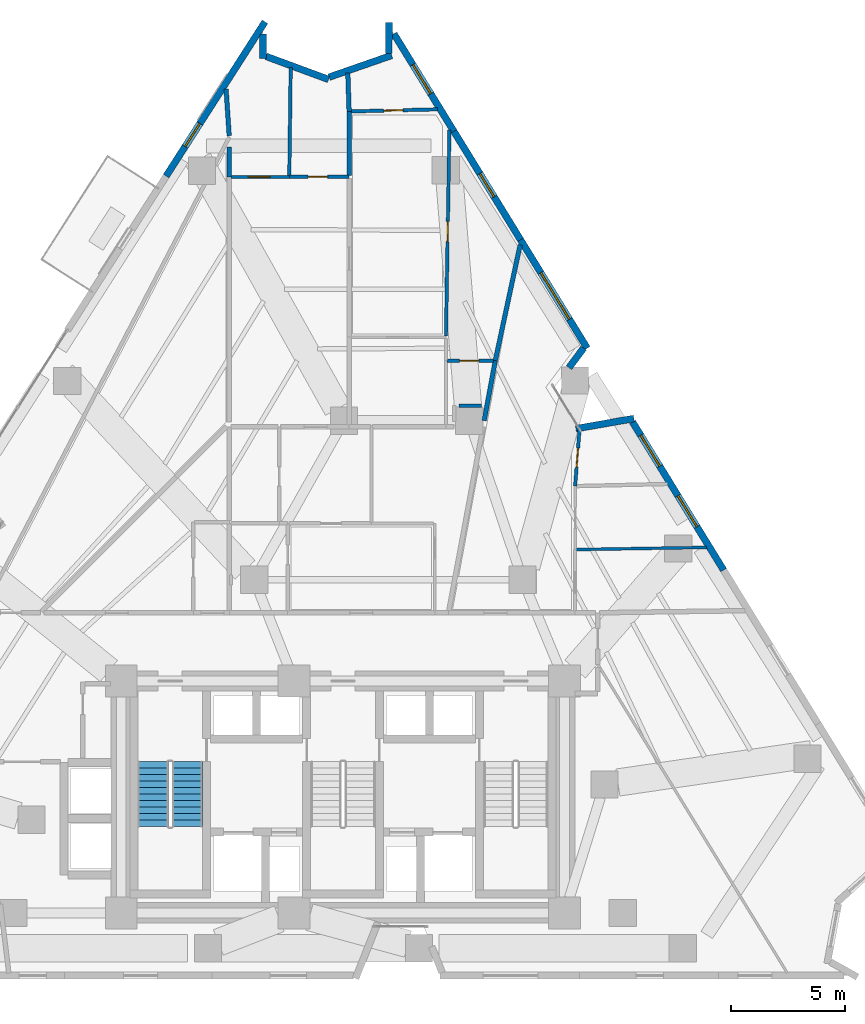
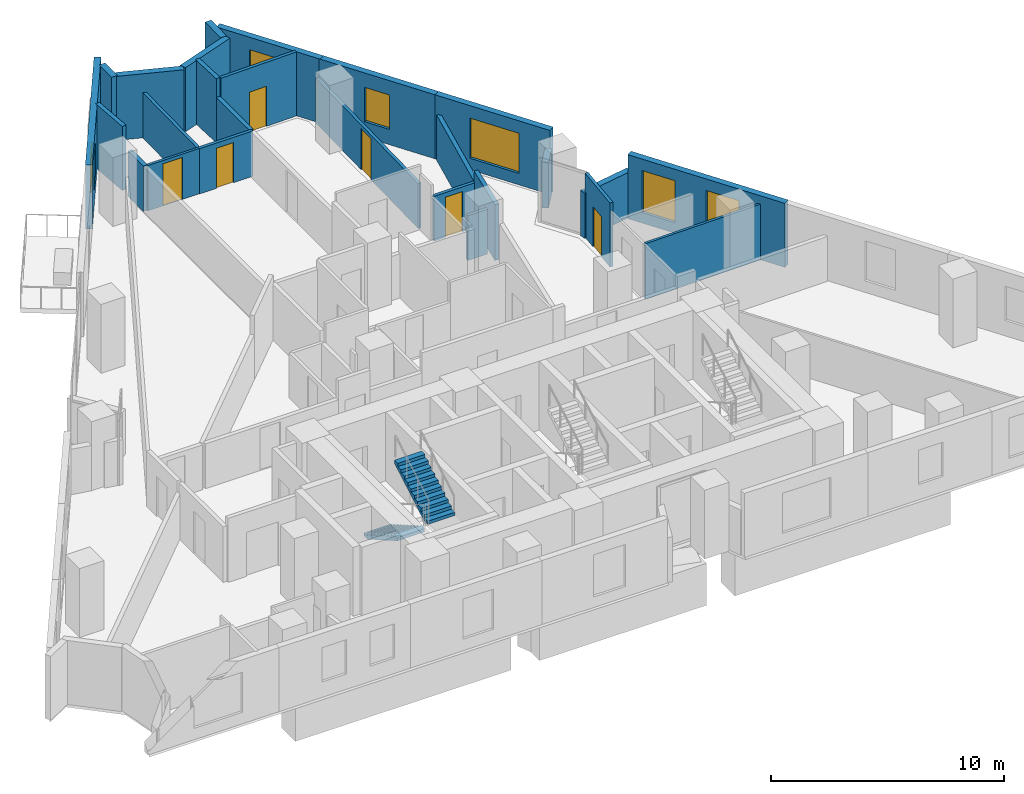
# One storey, part 9 of 13: 26 walls, 6 doors, 6 windows, 2 stair flights, 12 openings, 1 element without a shape of its own.
"""IFC4 building model written with IfcOpenShell, lengths in metres."""

from ifc_helpers import new_model, si_unit, direction, frame, frame_2d, origin, place, context, subcontext, project, spatial, polyline, rectangle, outline, extrude, material, layer, layer_set, type_object, element, fill, aggregate, save


model = new_model("IFC4")

# Units and contexts
model_context = context("Model", 3, precision=1e-05, world=origin(), true_north=direction((0.0, 1.0)))
body_context = subcontext(model_context, "Body", "Model", "MODEL_VIEW")
ifc_project = project(units=[si_unit("LENGTHUNIT", "METRE"), si_unit("AREAUNIT", "SQUARE_METRE"), si_unit("VOLUMEUNIT", "CUBIC_METRE"), si_unit("PLANEANGLEUNIT", "RADIAN"), si_unit("MASSUNIT", "GRAM", prefix="KILO")], contexts=[model_context])

# Site, building, storey
site_placement = place(None, origin())
site = spatial("IfcSite", under=ifc_project, at=site_placement, CompositionType="ELEMENT")
building_placement = place(site_placement, origin())
building = spatial("IfcBuilding", under=site, at=building_placement, Name="Almagre Mirador Tower", CompositionType="ELEMENT")
storey_placement = place(building_placement, frame((0.0, 0.0, 75.0)))
storey = spatial("IfcBuildingStorey", under=building, at=storey_placement, Name="L18", CompositionType="ELEMENT", Elevation=75.0)

# Wall, opening, window
ifc_material_1 = material(Name="Precast concrete C50/60", Category="concrete")
ifc_layer_1 = layer(ifc_material_1, 0.300048828125)
ifc_layer_set_1 = layer_set([ifc_layer_1], Name="Precast concrete C50/60")
wall_type_1 = type_object("IfcWallType", Name="WAL-EXT-300", PredefinedType="SOLIDWALL", material=ifc_layer_set_1)
wall_1_placement = place(storey_placement, frame((29.523681640625, 36.955322265625, 0.0), z_axis=(0.0, 0.0, 1.0), x_axis=(0.539470626143, 0.842004420136, 0.0)))
wall_1 = element("IfcWall", 1, at=wall_1_placement, inside=storey, type_object=wall_type_1, Name="L18 expressed almagre precast frame wall 05", PredefinedType="SOLIDWALL", context=body_context, shape_type="SweptSolid", body=[
    extrude(rectangle(XDim=8.057861328125, YDim=0.300048828125, at=frame_2d((4.02880859375, 0.0))), origin(), (0.0, 0.0, 1.0), 3.35009765625),
])
opening_1_placement = place(wall_1_placement, frame((1.550048828125, 0.0, 0.800048828125)))
opening_1 = element("IfcOpeningElement", 2, at=opening_1_placement, cuts=wall_1, Name="Opening WN-04", PredefinedType="OPENING", context=body_context, shape_type="SweptSolid", body=[
    extrude(rectangle(XDim=1.199951171875, YDim=1.800048828125, at=frame_2d((0.60009765625, 0.89990234375))), frame((0.0, 0.159902, 0.0), z_axis=(0.0, -1.0, 0.0), x_axis=(1.0, 0.0, 0.0)), (0.0, 0.0, 1.0), 0.320049),
])
ifc_material_2 = material(Name="Dark solar-control laminated hurricane glass", Category="glass")
window_type_1 = type_object("IfcWindowType", Name="WIN-1200X1800", PartitioningType="SINGLE_PANEL", PredefinedType="WINDOW", material=ifc_material_2)
window_1_placement = place(opening_1_placement, origin())
window_1 = element("IfcWindow", 3, at=window_1_placement, inside=storey, type_object=window_type_1, Name="L18 recessed hurricane window L18-RST-E", OverallHeight=1.800048828125, OverallWidth=1.199951171875, PartitioningType="SINGLE_PANEL", PredefinedType="WINDOW", context=body_context, shape_type="SweptSolid", body=[
    extrude(rectangle(XDim=1.199951171875, YDim=1.800048828125, at=frame_2d((0.60009765625, 0.89990234375))), frame((0.0, 0.030029296875, 0.0), z_axis=(0.0, -1.0, 0.0), x_axis=(1.0, 0.0, 0.0)), (0.0, 0.0, 1.0), 0.06005859375),
])
fill(opening_1, window_1)

# Walls
wall_2_placement = place(storey_placement, frame((33.791015625, 43.201904296875, 0.0), z_axis=(0.0, 0.0, 1.0), x_axis=(-0.009584224316, -0.999954070267, 0.0)))
element("IfcWall", 4, at=wall_2_placement, inside=storey, type_object=wall_type_1, Name="L18 expressed almagre precast frame wall 06", PredefinedType="SOLIDWALL", context=body_context, shape_type="SweptSolid", body=[
    extrude(rectangle(XDim=1.06982421875, YDim=0.300048828125, at=frame_2d((0.534912109375, 0.0))), origin(), (0.0, 0.0, 1.0), 3.35009765625),
])
wall_3_placement = place(storey_placement, frame((33.90869140625, 42.225341796875, 0.0), z_axis=(0.0, 0.0, 1.0), x_axis=(0.938225446259, -0.346024582931, 0.0)))
element("IfcWall", 5, at=wall_3_placement, inside=storey, type_object=wall_type_1, Name="L18 expressed almagre precast frame wall 07", PredefinedType="SOLIDWALL", context=body_context, shape_type="SweptSolid", body=[
    extrude(rectangle(XDim=2.94140625, YDim=0.300048828125, at=frame_2d((1.470703125, 0.0))), origin(), (0.0, 0.0, 1.0), 3.35009765625),
])
wall_4_placement = place(storey_placement, frame((36.688232421875, 41.30859375, 0.0), z_axis=(0.0, 0.0, 1.0), x_axis=(0.944571305793, 0.328306332978, 0.0)))
element("IfcWall", 6, at=wall_4_placement, inside=storey, type_object=wall_type_1, Name="L18 expressed almagre precast frame wall 08", PredefinedType="SOLIDWALL", context=body_context, shape_type="SweptSolid", body=[
    extrude(rectangle(XDim=2.91650390625, YDim=0.300048828125, at=frame_2d((1.458251953125, 0.0))), origin(), (0.0, 0.0, 1.0), 3.35009765625),
])
wall_5_placement = place(storey_placement, frame((39.312255859375, 42.35498046875, 0.0), z_axis=(0.0, 0.0, 1.0), x_axis=(0.008828484753, 0.999961028169, 0.0)))
element("IfcWall", 7, at=wall_5_placement, inside=storey, type_object=wall_type_1, Name="L18 expressed almagre precast frame wall 09", PredefinedType="SOLIDWALL", context=body_context, shape_type="SweptSolid", body=[
    extrude(rectangle(XDim=1.35498046875, YDim=0.300048828125, at=frame_2d((0.677490234375, 0.0))), origin(), (0.0, 0.0, 1.0), 3.35009765625),
])

# Wall, opening, window
wall_6_placement = place(storey_placement, frame((39.540283203125, 43.216552734375, 0.0), z_axis=(0.0, 0.0, 1.0), x_axis=(0.52373802156, -0.851879383935, 0.0)))
wall_6 = element("IfcWall", 8, at=wall_6_placement, inside=storey, type_object=wall_type_1, Name="L18 expressed almagre precast frame wall 10", PredefinedType="SOLIDWALL", context=body_context, shape_type="SweptSolid", body=[
    extrude(rectangle(XDim=5.04150390625, YDim=0.300048828125, at=frame_2d((2.520751953125, 0.0))), origin(), (0.0, 0.0, 1.0), 3.35009765625),
])
opening_2_placement = place(wall_6_placement, frame((1.594970703125, 0.0, 0.60009765625)))
opening_2 = element("IfcOpeningElement", 9, at=opening_2_placement, cuts=wall_6, Name="Opening WN-03", PredefinedType="OPENING", context=body_context, shape_type="SweptSolid", body=[
    extrude(rectangle(XDim=1.5, YDim=2.10009765625, at=frame_2d((0.75, 1.050048828125))), frame((0.0, 0.159902, 0.0), z_axis=(0.0, -1.0, 0.0), x_axis=(1.0, 0.0, 0.0)), (0.0, 0.0, 1.0), 0.320049),
])
ifc_material_3 = material(Name="Dark solar-control laminated hurricane glass", Category="glass")
window_type_2 = type_object("IfcWindowType", Name="WIN-1500X2100", PartitioningType="DOUBLE_PANEL_VERTICAL", PredefinedType="WINDOW", material=ifc_material_3)
window_2_placement = place(opening_2_placement, origin())
window_2 = element("IfcWindow", 10, at=window_2_placement, inside=storey, type_object=window_type_2, Name="L18 recessed hurricane window L18-UL-HB", OverallHeight=2.10009765625, OverallWidth=1.5, PartitioningType="SINGLE_PANEL", PredefinedType="WINDOW", context=body_context, shape_type="SweptSolid", body=[
    extrude(rectangle(XDim=1.5, YDim=2.10009765625, at=frame_2d((0.75, 1.050048828125))), frame((0.0, 0.030029296875, 0.0), z_axis=(0.0, -1.0, 0.0), x_axis=(1.0, 0.0, 0.0)), (0.0, 0.0, 1.0), 0.06005859375),
])
fill(opening_2, window_2)

wall_7_placement = place(storey_placement, frame((42.15283203125, 38.967041015625, 0.0), z_axis=(0.0, 0.0, 1.0), x_axis=(0.523687465278, -0.851910464022, 0.0)))
wall_7 = element("IfcWall", 11, at=wall_7_placement, inside=storey, type_object=wall_type_1, Name="L18 expressed almagre precast frame wall 11", PredefinedType="SOLIDWALL", context=body_context, shape_type="SweptSolid", body=[
    extrude(rectangle(XDim=5.6494140625, YDim=0.300048828125, at=frame_2d((2.82470703125, 0.0))), origin(), (0.0, 0.0, 1.0), 3.35009765625),
])
opening_3_placement = place(wall_7_placement, frame((2.22802734375, 0.0, 0.800048828125)))
opening_3 = element("IfcOpeningElement", 12, at=opening_3_placement, cuts=wall_7, Name="Opening WN-04", PredefinedType="OPENING", context=body_context, shape_type="SweptSolid", body=[
    extrude(rectangle(XDim=1.199951171875, YDim=1.800048828125, at=frame_2d((0.60009765625, 0.89990234375))), frame((0.0, 0.159902, 0.0), z_axis=(0.0, -1.0, 0.0), x_axis=(1.0, 0.0, 0.0)), (0.0, 0.0, 1.0), 0.320049),
])
window_3_placement = place(opening_3_placement, origin())
window_3 = element("IfcWindow", 13, at=window_3_placement, inside=storey, type_object=window_type_1, Name="L18 recessed hurricane window L18-UL-MB", OverallHeight=1.800048828125, OverallWidth=1.199951171875, PartitioningType="SINGLE_PANEL", PredefinedType="WINDOW", context=body_context, shape_type="SweptSolid", body=[
    extrude(rectangle(XDim=1.199951171875, YDim=1.800048828125, at=frame_2d((0.60009765625, 0.89990234375))), frame((0.0, 0.030029296875, 0.0), z_axis=(0.0, -1.0, 0.0), x_axis=(1.0, 0.0, 0.0)), (0.0, 0.0, 1.0), 0.06005859375),
])
fill(opening_3, window_3)

wall_8_placement = place(storey_placement, frame((45.111328125, 34.154296875, 0.0), z_axis=(0.0, 0.0, 1.0), x_axis=(0.523710369238, -0.851896384047, 0.0)))
wall_8 = element("IfcWall", 14, at=wall_8_placement, inside=storey, type_object=wall_type_1, Name="L18 expressed almagre precast frame wall 12", PredefinedType="SOLIDWALL", context=body_context, shape_type="SweptSolid", body=[
    extrude(rectangle(XDim=5.596435546875, YDim=0.300048828125, at=frame_2d((2.79833984375, 0.0))), origin(), (0.0, 0.0, 1.0), 3.35009765625),
])
opening_4_placement = place(wall_8_placement, frame((1.699951171875, 0.0, 0.60009765625)))
opening_4 = element("IfcOpeningElement", 15, at=opening_4_placement, cuts=wall_8, Name="Opening WN-02", PredefinedType="OPENING", context=body_context, shape_type="SweptSolid", body=[
    extrude(rectangle(XDim=2.39990234375, YDim=2.10009765625, at=frame_2d((1.199951171875, 1.050048828125))), frame((0.0, 0.159902, 0.0), z_axis=(0.0, -1.0, 0.0), x_axis=(1.0, 0.0, 0.0)), (0.0, 0.0, 1.0), 0.320049),
])
ifc_material_4 = material(Name="Dark solar-control laminated hurricane glass", Category="glass")
window_type_3 = type_object("IfcWindowType", Name="WIN-2400X2100", PartitioningType="TRIPLE_PANEL_VERTICAL", PredefinedType="WINDOW", material=ifc_material_4)
window_4_placement = place(opening_4_placement, origin())
window_4 = element("IfcWindow", 16, at=window_4_placement, inside=storey, type_object=window_type_3, Name="L18 recessed hurricane window L18-UJ-LV", OverallHeight=2.10009765625, OverallWidth=2.39990234375, PartitioningType="SINGLE_PANEL", PredefinedType="WINDOW", context=body_context, shape_type="SweptSolid", body=[
    extrude(rectangle(XDim=2.39990234375, YDim=2.10009765625, at=frame_2d((1.199951171875, 1.050048828125))), frame((0.0, 0.030029296875, 0.0), z_axis=(0.0, -1.0, 0.0), x_axis=(1.0, 0.0, 0.0)), (0.0, 0.0, 1.0), 0.06005859375),
])
fill(opening_4, window_4)

# Walls
wall_9_placement = place(storey_placement, frame((47.88525390625, 29.393798828125, 0.0), z_axis=(0.0, 0.0, 1.0), x_axis=(-0.598186461049, -0.801356947819, 0.0)))
element("IfcWall", 17, at=wall_9_placement, inside=storey, type_object=wall_type_1, Name="L18 expressed almagre precast frame wall 13", PredefinedType="SOLIDWALL", context=body_context, shape_type="SweptSolid", body=[
    extrude(rectangle(XDim=1.077880859375, YDim=0.300048828125, at=frame_2d((0.5390625, 0.0))), origin(), (0.0, 0.0, 1.0), 2.375),
])
wall_10_placement = place(storey_placement, frame((47.541015625, 25.846923828125, 0.0), z_axis=(0.0, 0.0, 1.0), x_axis=(0.985095505459, 0.172008270511, 0.0)))
element("IfcWall", 18, at=wall_10_placement, inside=storey, type_object=wall_type_1, Name="L18 expressed almagre precast frame wall 14", PredefinedType="SOLIDWALL", context=body_context, shape_type="SweptSolid", body=[
    extrude(rectangle(XDim=2.594482421875, YDim=0.300048828125, at=frame_2d((1.29736328125, 0.0))), origin(), (0.0, 0.0, 1.0), 2.375),
])

# Wall, openings, windows
wall_11_placement = place(storey_placement, frame((50.0322265625, 26.14990234375, 0.0), z_axis=(0.0, 0.0, 1.0), x_axis=(0.523673810553, -0.851918857721, 0.0)))
wall_11 = element("IfcWall", 19, at=wall_11_placement, inside=storey, type_object=wall_type_1, Name="L18 expressed almagre precast frame wall 15", PredefinedType="SOLIDWALL", context=body_context, shape_type="SweptSolid", body=[
    extrude(rectangle(XDim=7.654296875, YDim=0.300048828125, at=frame_2d((3.8271484375, 0.0))), origin(), (0.0, 0.0, 1.0), 3.35009765625),
])
opening_5_placement = place(wall_11_placement, frame((0.695068359375, 0.0, 0.550048828125)))
opening_5 = element("IfcOpeningElement", 20, at=opening_5_placement, cuts=wall_11, Name="Opening WN-06", PredefinedType="OPENING", context=body_context, shape_type="SweptSolid", body=[
    extrude(rectangle(XDim=1.60009765625, YDim=2.199951171875, at=frame_2d((0.800048828125, 1.10009765625))), frame((0.0, 0.159902, 0.0), z_axis=(0.0, -1.0, 0.0), x_axis=(1.0, 0.0, 0.0)), (0.0, 0.0, 1.0), 0.320049),
])
opening_6_placement = place(wall_11_placement, frame((3.820068359375, 0.0, 0.550048828125)))
opening_6 = element("IfcOpeningElement", 21, at=opening_6_placement, cuts=wall_11, Name="Opening WN-06", PredefinedType="OPENING", context=body_context, shape_type="SweptSolid", body=[
    extrude(rectangle(XDim=1.60009765625, YDim=2.199951171875, at=frame_2d((0.800048828125, 1.10009765625))), frame((0.0, 0.159902, 0.0), z_axis=(0.0, -1.0, 0.0), x_axis=(1.0, 0.0, 0.0)), (0.0, 0.0, 1.0), 0.320049),
])
ifc_material_5 = material(Name="Dark solar-control laminated hurricane glass", Category="glass")
window_type_4 = type_object("IfcWindowType", Name="WIN-1600X2200", PartitioningType="DOUBLE_PANEL_VERTICAL", PredefinedType="WINDOW", material=ifc_material_5)
window_5_placement = place(opening_5_placement, origin())
window_5 = element("IfcWindow", 22, at=window_5_placement, inside=storey, type_object=window_type_4, Name="L18 recessed hurricane window L18-UJ-HB", OverallHeight=2.199951171875, OverallWidth=1.60009765625, PartitioningType="SINGLE_PANEL", PredefinedType="WINDOW", context=body_context, shape_type="SweptSolid", body=[
    extrude(rectangle(XDim=1.60009765625, YDim=2.199951171875, at=frame_2d((0.800048828125, 1.10009765625))), frame((0.0, 0.030029296875, 0.0), z_axis=(0.0, -1.0, 0.0), x_axis=(1.0, 0.0, 0.0)), (0.0, 0.0, 1.0), 0.06005859375),
])
fill(opening_5, window_5)
window_6_placement = place(opening_6_placement, origin())
window_6 = element("IfcWindow", 23, at=window_6_placement, inside=storey, type_object=window_type_4, Name="L18 recessed hurricane window L18-UJ-MB", OverallHeight=2.199951171875, OverallWidth=1.60009765625, PartitioningType="SINGLE_PANEL", PredefinedType="WINDOW", context=body_context, shape_type="SweptSolid", body=[
    extrude(rectangle(XDim=1.60009765625, YDim=2.199951171875, at=frame_2d((0.800048828125, 1.10009765625))), frame((0.0, 0.030029296875, 0.0), z_axis=(0.0, -1.0, 0.0), x_axis=(1.0, 0.0, 0.0)), (0.0, 0.0, 1.0), 0.06005859375),
])
fill(opening_6, window_6)

# Wall
ifc_material_6 = material(Name="Gypsum acoustic stud partition", Category="other")
ifc_layer_2 = layer(ifc_material_6, 0.125)
ifc_layer_set_2 = layer_set([ifc_layer_2], Name="Gypsum acoustic stud partition")
wall_type_2 = type_object("IfcWallType", Name="WAL-PRT-125-UTL", PredefinedType="PARTITIONING", material=ifc_layer_set_2)
wall_12_placement = place(storey_placement, frame((53.298095703125, 20.625, 0.0), z_axis=(0.0, 0.0, 1.0), x_axis=(-0.9998645785, -0.016456751239, 0.0)))
element("IfcWall", 24, at=wall_12_placement, inside=storey, type_object=wall_type_2, Name="L18 interior partition 057", PredefinedType="PARTITIONING", context=body_context, shape_type="SweptSolid", body=[
    extrude(rectangle(XDim=5.7412109375, YDim=0.125, at=frame_2d((2.87060546875, 0.0))), origin(), (0.0, 0.0, 1.0), 2.910888671875),
])

# Wall, opening, door
wall_13_placement = place(storey_placement, frame((34.93994140625, 36.919921875, 0.0), z_axis=(0.0, 0.0, 1.0), x_axis=(-1.0, 0.0, 0.0)))
wall_13 = element("IfcWall", 25, at=wall_13_placement, inside=storey, type_object=wall_type_2, Name="L18 interior partition 058", PredefinedType="PARTITIONING", context=body_context, shape_type="SweptSolid", body=[
    extrude(rectangle(XDim=2.554931640625, YDim=0.125, at=frame_2d((1.27734375, 0.0))), origin(), (0.0, 0.0, 1.0), 2.3701171875),
])
opening_7_placement = place(wall_13_placement, frame((0.844970703125, 0.0, 0.0)))
opening_7 = element("IfcOpeningElement", 26, at=opening_7_placement, cuts=wall_13, Name="Opening UD-01", PredefinedType="OPENING", context=body_context, shape_type="SweptSolid", body=[
    extrude(rectangle(XDim=0.949951171875, YDim=2.199951171875, at=frame_2d((0.47509765625, 1.10009765625))), frame((0.0, 0.0725, 0.0), z_axis=(0.0, -1.0, 0.0), x_axis=(1.0, 0.0, 0.0)), (0.0, 0.0, 1.0), 0.145),
])
ifc_material_7 = material(Name="Solid American walnut timber", Category="wood")
door_type_1 = type_object("IfcDoorType", Name="DOR-UNR-950X2200", OperationType="NOTDEFINED", PredefinedType="DOOR", material=ifc_material_7)
door_1_placement = place(opening_7_placement, origin())
door_1 = element("IfcDoor", 27, at=door_1_placement, inside=storey, type_object=door_type_1, Name="DR-0620 L18 interior door L18-UK-ST to L18-UK-KT", OperationType="SINGLE_SWING_RIGHT", OverallHeight=2.199951171875, OverallWidth=0.949951171875, PredefinedType="DOOR", context=body_context, shape_type="SweptSolid", body=[
    extrude(rectangle(XDim=0.949951171875, YDim=2.199951171875, at=frame_2d((0.47509765625, 1.10009765625))), frame((0.0, 0.02490234375, 0.0), z_axis=(0.0, -1.0, 0.0), x_axis=(1.0, 0.0, 0.0)), (0.0, 0.0, 1.0), 0.050048828125),
])
fill(opening_7, door_1)

ifc_material_8 = material(Name="Gypsum acoustic stud partition", Category="other")
ifc_layer_3 = layer(ifc_material_8, 0.14990234375)
ifc_layer_set_3 = layer_set([ifc_layer_3], Name="Gypsum acoustic stud partition")
wall_type_3 = type_object("IfcWallType", Name="WAL-PRT-150-STD", PredefinedType="PARTITIONING", material=ifc_layer_set_3)
wall_14_placement = place(storey_placement, frame((47.510009765625, 23.320068359375, 0.0), z_axis=(0.0, 0.0, 1.0), x_axis=(0.077275386284, 0.997009786649, 0.0)))
wall_14 = element("IfcWall", 28, at=wall_14_placement, inside=storey, type_object=wall_type_3, Name="L18 interior partition 051", PredefinedType="PARTITIONING", context=body_context, shape_type="SweptSolid", body=[
    extrude(rectangle(XDim=2.483154296875, YDim=0.14990234375, at=frame_2d((1.24169921875, 0.0))), origin(), (0.0, 0.0, 1.0), 3.35009765625),
])
opening_8_placement = place(wall_14_placement, frame((0.828125, 0.0, 0.0)))
opening_8 = element("IfcOpeningElement", 29, at=opening_8_placement, cuts=wall_14, Name="Opening UD-04", PredefinedType="OPENING", context=body_context, shape_type="SweptSolid", body=[
    extrude(rectangle(XDim=0.85009765625, YDim=2.10009765625, at=frame_2d((0.425048828125, 1.050048828125))), frame((0.0, 0.084951, 0.0), z_axis=(0.0, -1.0, 0.0), x_axis=(1.0, 0.0, 0.0)), (0.0, 0.0, 1.0), 0.169902),
])
ifc_material_9 = material(Name="Moisture-resistant oak timber", Category="wood")
door_type_2 = type_object("IfcDoorType", Name="DOR-UNR-850X2100", OperationType="NOTDEFINED", PredefinedType="DOOR", material=ifc_material_9)
door_2_placement = place(opening_8_placement, origin())
door_2 = element("IfcDoor", 30, at=door_2_placement, inside=storey, type_object=door_type_2, Name="DR-0618 L18 interior door L18-UJ-LV to L18-UJ-HB", OperationType="SINGLE_SWING_RIGHT", OverallHeight=2.10009765625, OverallWidth=0.85009765625, PredefinedType="DOOR", context=body_context, shape_type="SweptSolid", body=[
    extrude(rectangle(XDim=0.85009765625, YDim=2.10009765625, at=frame_2d((0.425048828125, 1.050048828125))), frame((0.0, 0.02490234375, 0.0), z_axis=(0.0, -1.0, 0.0), x_axis=(1.0, 0.0, 0.0)), (0.0, 0.0, 1.0), 0.050048828125),
])
fill(opening_8, door_2)

wall_15_placement = place(storey_placement, frame((37.570068359375, 36.919921875, 0.0), z_axis=(0.0, 0.0, 1.0), x_axis=(-1.0, 0.0, 0.0)))
wall_15 = element("IfcWall", 31, at=wall_15_placement, inside=storey, type_object=wall_type_3, Name="L18 interior partition 059", PredefinedType="PARTITIONING", context=body_context, shape_type="SweptSolid", body=[
    extrude(rectangle(XDim=2.630126953125, YDim=0.14990234375, at=frame_2d((1.31494140625, 0.0))), origin(), (0.0, 0.0, 1.0), 2.3701171875),
])
opening_9_placement = place(wall_15_placement, frame((0.94775390625, 0.0, 0.0)))
opening_9 = element("IfcOpeningElement", 32, at=opening_9_placement, cuts=wall_15, Name="Opening UD-04", PredefinedType="OPENING", context=body_context, shape_type="SweptSolid", body=[
    extrude(rectangle(XDim=0.85009765625, YDim=2.10009765625, at=frame_2d((0.425048828125, 1.050048828125))), frame((0.0, 0.084951, 0.0), z_axis=(0.0, -1.0, 0.0), x_axis=(1.0, 0.0, 0.0)), (0.0, 0.0, 1.0), 0.169902),
])
door_3_placement = place(opening_9_placement, origin())
door_3 = element("IfcDoor", 33, at=door_3_placement, inside=storey, type_object=door_type_2, Name="DR-0621 L18 interior door L18-UK-ST to L18-UK-BT", OperationType="SINGLE_SWING_LEFT", OverallHeight=2.10009765625, OverallWidth=0.85009765625, PredefinedType="DOOR", context=body_context, shape_type="SweptSolid", body=[
    extrude(rectangle(XDim=0.85009765625, YDim=2.10009765625, at=frame_2d((0.425048828125, 1.050048828125))), frame((0.0, 0.02490234375, 0.0), z_axis=(0.0, -1.0, 0.0), x_axis=(1.0, 0.0, 0.0)), (0.0, 0.0, 1.0), 0.050048828125),
])
fill(opening_9, door_3)

# Wall
wall_16_placement = place(storey_placement, frame((34.9404296875, 36.967529296875, 0.0), z_axis=(0.0, 0.0, 1.0), x_axis=(0.012728014725, 0.99991899554, 0.0)))
element("IfcWall", 34, at=wall_16_placement, inside=storey, type_object=wall_type_3, Name="L18 interior partition 062", PredefinedType="PARTITIONING", context=body_context, shape_type="SweptSolid", body=[
    extrude(rectangle(XDim=4.757080078125, YDim=0.14990234375, at=frame_2d((2.37841796875, 0.0))), origin(), (0.0, 0.0, 1.0), 2.3701171875),
])

# Wall, opening, door
wall_17_placement = place(storey_placement, frame((41.448974609375, 39.89111328125, 0.0), z_axis=(0.0, 0.0, 1.0), x_axis=(-0.999721247685, -0.02360989047, 0.0)))
wall_17 = element("IfcWall", 35, at=wall_17_placement, inside=storey, type_object=wall_type_3, Name="L18 interior partition 065", PredefinedType="PARTITIONING", context=body_context, shape_type="SweptSolid", body=[
    extrude(rectangle(XDim=3.794921875, YDim=0.14990234375, at=frame_2d((1.8974609375, 0.0))), origin(), (0.0, 0.0, 1.0), 3.35009765625),
])
opening_10_placement = place(wall_17_placement, frame((1.505615234375, 0.0, 0.0)))
opening_10 = element("IfcOpeningElement", 36, at=opening_10_placement, cuts=wall_17, Name="Opening UD-04", PredefinedType="OPENING", context=body_context, shape_type="SweptSolid", body=[
    extrude(rectangle(XDim=0.85009765625, YDim=2.10009765625, at=frame_2d((0.425048828125, 1.050048828125))), frame((0.0, 0.084951, 0.0), z_axis=(0.0, -1.0, 0.0), x_axis=(1.0, 0.0, 0.0)), (0.0, 0.0, 1.0), 0.169902),
])
door_4_placement = place(opening_10_placement, origin())
door_4 = element("IfcDoor", 37, at=door_4_placement, inside=storey, type_object=door_type_2, Name="DR-0623 L18 interior door L18-UL-LV to L18-UL-HB", OperationType="SINGLE_SWING_LEFT", OverallHeight=2.10009765625, OverallWidth=0.85009765625, PredefinedType="DOOR", context=body_context, shape_type="SweptSolid", body=[
    extrude(rectangle(XDim=0.85009765625, YDim=2.10009765625, at=frame_2d((0.425048828125, 1.050048828125))), frame((0.0, 0.02490234375, 0.0), z_axis=(0.0, -1.0, 0.0), x_axis=(1.0, 0.0, 0.0)), (0.0, 0.0, 1.0), 0.050048828125),
])
fill(opening_10, door_4)

wall_18_placement = place(storey_placement, frame((41.83056640625, 29.91748046875, 0.0), z_axis=(0.0, 0.0, 1.0), x_axis=(0.016599696118, 0.999862215552, 0.0)))
wall_18 = element("IfcWall", 38, at=wall_18_placement, inside=storey, type_object=wall_type_3, Name="L18 interior partition 067", PredefinedType="PARTITIONING", context=body_context, shape_type="SweptSolid", body=[
    extrude(rectangle(XDim=9.059814453125, YDim=0.14990234375, at=frame_2d((4.52978515625, 0.0))), origin(), (0.0, 0.0, 1.0), 2.344970703125),
])
opening_11_placement = place(wall_18_placement, frame((4.151611328125, 0.0, 0.0)))
opening_11 = element("IfcOpeningElement", 39, at=opening_11_placement, cuts=wall_18, Name="Opening UD-02", PredefinedType="OPENING", context=body_context, shape_type="SweptSolid", body=[
    extrude(rectangle(XDim=0.89990234375, YDim=2.14990234375, at=frame_2d((0.449951171875, 1.074951171875))), frame((0.0, 0.084951, 0.0), z_axis=(0.0, -1.0, 0.0), x_axis=(1.0, 0.0, 0.0)), (0.0, 0.0, 1.0), 0.169902),
])
ifc_material_10 = material(Name="Solid American walnut timber", Category="wood")
door_type_3 = type_object("IfcDoorType", Name="DOR-UNR-900X2150", OperationType="NOTDEFINED", PredefinedType="DOOR", material=ifc_material_10)
door_5_placement = place(opening_11_placement, origin())
door_5 = element("IfcDoor", 40, at=door_5_placement, inside=storey, type_object=door_type_3, Name="DR-0624 L18 interior door L18-UL-LV to L18-UL-MB", OperationType="SINGLE_SWING_RIGHT", OverallHeight=2.14990234375, OverallWidth=0.89990234375, PredefinedType="DOOR", context=body_context, shape_type="SweptSolid", body=[
    extrude(rectangle(XDim=0.89990234375, YDim=2.14990234375, at=frame_2d((0.449951171875, 1.074951171875))), frame((0.0, 0.02490234375, 0.0), z_axis=(0.0, -1.0, 0.0), x_axis=(1.0, 0.0, 0.0)), (0.0, 0.0, 1.0), 0.050048828125),
])
fill(opening_11, door_5)

wall_19_placement = place(storey_placement, frame((41.87744140625, 28.840087890625, 0.0), z_axis=(0.0, 0.0, 1.0), x_axis=(1.0, 0.0, 0.0)))
wall_19 = element("IfcWall", 41, at=wall_19_placement, inside=storey, type_object=wall_type_3, Name="L18 interior partition 070", PredefinedType="PARTITIONING", context=body_context, shape_type="SweptSolid", body=[
    extrude(rectangle(XDim=2.03759765625, YDim=0.14990234375, at=frame_2d((1.018798828125, 0.0))), origin(), (0.0, 0.0, 1.0), 2.344970703125),
])
opening_12_placement = place(wall_19_placement, frame((0.5546875, 0.0, 0.0)))
opening_12 = element("IfcOpeningElement", 42, at=opening_12_placement, cuts=wall_19, Name="Opening UD-04", PredefinedType="OPENING", context=body_context, shape_type="SweptSolid", body=[
    extrude(rectangle(XDim=0.85009765625, YDim=2.10009765625, at=frame_2d((0.425048828125, 1.050048828125))), frame((0.0, 0.084951, 0.0), z_axis=(0.0, -1.0, 0.0), x_axis=(1.0, 0.0, 0.0)), (0.0, 0.0, 1.0), 0.169902),
])
door_6_placement = place(opening_12_placement, origin())
door_6 = element("IfcDoor", 43, at=door_6_placement, inside=storey, type_object=door_type_2, Name="DR-0625 L18 interior door L18-UL-MB to L18-UL-EN", OperationType="SINGLE_SWING_LEFT", OverallHeight=2.10009765625, OverallWidth=0.85009765625, PredefinedType="DOOR", context=body_context, shape_type="SweptSolid", body=[
    extrude(rectangle(XDim=0.85009765625, YDim=2.10009765625, at=frame_2d((0.425048828125, 1.050048828125))), frame((0.0, 0.02490234375, 0.0), z_axis=(0.0, -1.0, 0.0), x_axis=(1.0, 0.0, 0.0)), (0.0, 0.0, 1.0), 0.050048828125),
])
fill(opening_12, door_6)

# Walls
wall_20_placement = place(storey_placement, frame((42.405029296875, 26.860107421875, 0.0), z_axis=(0.0, 0.0, 1.0), x_axis=(1.0, 0.0, 0.0)))
element("IfcWall", 44, at=wall_20_placement, inside=storey, type_object=wall_type_3, Name="L18 interior partition 073", PredefinedType="PARTITIONING", context=body_context, shape_type="SweptSolid", body=[
    extrude(rectangle(XDim=0.98291015625, YDim=0.14990234375, at=frame_2d((0.491455078125, 0.0))), origin(), (0.0, 0.0, 1.0), 2.344970703125),
])
ifc_material_11 = material(Name="Gypsum acoustic stud partition", Category="other")
ifc_layer_4 = layer(ifc_material_11, 0.199951171875)
ifc_layer_set_4 = layer_set([ifc_layer_4], Name="Gypsum acoustic stud partition")
wall_type_4 = type_object("IfcWallType", Name="WAL-PRT-200-EI60", PredefinedType="PARTITIONING", material=ifc_layer_set_4)
wall_21_placement = place(storey_placement, frame((32.296875, 38.72998046875, 0.0), z_axis=(0.0, 0.0, 1.0), x_axis=(-0.066629370629, 0.997777794386, 0.0)))
element("IfcWall", 45, at=wall_21_placement, inside=storey, type_object=wall_type_4, Name="L18 interior partition 026", PredefinedType="PARTITIONING", context=body_context, shape_type="SweptSolid", body=[
    extrude(rectangle(XDim=2.0556640625, YDim=0.199951171875, at=frame_2d((1.02783203125, 0.0))), origin(), (0.0, 0.0, 1.0), 3.35009765625),
])
wall_22_placement = place(storey_placement, frame((32.300048828125, 36.919921875, 0.0), z_axis=(0.0, 0.0, 1.0), x_axis=(0.0, 1.0, 0.0)))
element("IfcWall", 46, at=wall_22_placement, inside=storey, type_object=wall_type_4, Name="L18 interior partition 036", PredefinedType="PARTITIONING", context=body_context, shape_type="SweptSolid", body=[
    extrude(rectangle(XDim=1.3173828125, YDim=0.199951171875, at=frame_2d((0.65869140625, 0.0))), origin(), (0.0, 0.0, 1.0), 2.3701171875),
])
wall_23_placement = place(storey_placement, frame((45.093017578125, 33.931884765625, 0.0), z_axis=(0.0, 0.0, 1.0), x_axis=(-0.209881245986, -0.977726885476, 0.0)))
element("IfcWall", 47, at=wall_23_placement, inside=storey, type_object=wall_type_4, Name="L18 interior partition 054", PredefinedType="PARTITIONING", context=body_context, shape_type="SweptSolid", body=[
    extrude(rectangle(XDim=5.207763671875, YDim=0.199951171875, at=frame_2d((2.60400390625, 0.0))), origin(), (0.0, 0.0, 1.0), 2.3701171875),
])
wall_24_placement = place(storey_placement, frame((44.0, 28.840087890625, 0.0), z_axis=(0.0, 0.0, 1.0), x_axis=(-0.18247668152, -0.983210181345, 0.0)))
element("IfcWall", 48, at=wall_24_placement, inside=storey, type_object=wall_type_4, Name="L18 interior partition 055", PredefinedType="PARTITIONING", context=body_context, shape_type="SweptSolid", body=[
    extrude(rectangle(XDim=2.685302734375, YDim=0.199951171875, at=frame_2d((1.3427734375, 0.0))), origin(), (0.0, 0.0, 1.0), 2.910888671875),
])
wall_25_placement = place(storey_placement, frame((37.570068359375, 36.97998046875, 0.0), z_axis=(0.0, 0.0, 1.0), x_axis=(0.0, 1.0, 0.0)))
element("IfcWall", 49, at=wall_25_placement, inside=storey, type_object=wall_type_4, Name="L18 interior partition 063", PredefinedType="PARTITIONING", context=body_context, shape_type="SweptSolid", body=[
    extrude(rectangle(XDim=2.820068359375, YDim=0.199951171875, at=frame_2d((1.41015625, 0.0))), origin(), (0.0, 0.0, 1.0), 2.3701171875),
])
wall_26_placement = place(storey_placement, frame((37.570068359375, 39.800048828125, 0.0), z_axis=(0.0, 0.0, 1.0), x_axis=(-0.033089686033, 0.999452386399, 0.0)))
element("IfcWall", 50, at=wall_26_placement, inside=storey, type_object=wall_type_4, Name="L18 interior partition 064", PredefinedType="PARTITIONING", context=body_context, shape_type="SweptSolid", body=[
    extrude(rectangle(XDim=1.697021484375, YDim=0.199951171875, at=frame_2d((0.8486328125, 0.0))), origin(), (0.0, 0.0, 1.0), 3.35009765625),
])

# Stair, stair flights
ifc_material_12 = material(Name="Concrete C45/55", Category="concrete")
stair_type = type_object("IfcStairType", Name="STR-DL-3600", PredefinedType="HALF_TURN_STAIR", material=ifc_material_12)
stair_placement = place(storey_placement, origin())
stair = element("IfcStair", 51, at=stair_placement, inside=storey, type_object=stair_type, Name="L18 Protected exit stair ST-1", PredefinedType="HALF_TURN_STAIR")
ifc_material_13 = material(Name="Concrete C45/55", Category="concrete")
stair_flight_type = type_object("IfcStairFlightType", Name="FLT-DL-3600", PredefinedType="STRAIGHT", material=ifc_material_13)
stair_flight_1_placement = place(storey_placement, frame((28.949951171875, 11.199951171875, 0.0), z_axis=(0.0, 0.0, 1.0), x_axis=(0.0, -1.0, 0.0)))
stair_flight_1 = element("IfcStairFlight", 52, at=stair_flight_1_placement, type_object=stair_flight_type, Name="ST-1 flight 1", NumberOfRisers=11, NumberOfTreads=10, PredefinedType="STRAIGHT", RiserHeight=0.163636364, TreadLength=0.285, context=body_context, shape_type="SweptSolid", body=[
    extrude(outline(polyline([(0.0, 0.0), (0.0, 0.16357421875), (0.284912109375, 0.16357421875), (0.284912109375, 0.327392578125), (0.570068359375, 0.327392578125), (0.570068359375, 0.490966796875), (0.85498046875, 0.490966796875), (0.85498046875, 0.654541015625), (1.139892578125, 0.654541015625), (1.139892578125, 0.818115234375), (1.425048828125, 0.818115234375), (1.425048828125, 0.98193359375), (1.7099609375, 0.98193359375), (1.7099609375, 1.1455078125), (1.9951171875, 1.1455078125), (1.9951171875, 1.30908203125), (2.280029296875, 1.30908203125), (2.280029296875, 1.47265625), (2.56494140625, 1.47265625), (2.56494140625, 1.636474609375), (2.85009765625, 1.636474609375), (2.85009765625, 1.800048828125), (2.85009765625, 1.463623046875), (0.301025390625, 0.0), (0.0, 0.0)])), frame((0.0, 0.675048828125, 0.0), z_axis=(0.0, -1.0, 0.0), x_axis=(1.0, 0.0, 0.0)), (0.0, 0.0, 1.0), 1.35009765625),
])
stair_flight_2_placement = place(storey_placement, frame((30.449951171875, 8.35009765625, 1.800048828125), z_axis=(0.0, 0.0, 1.0), x_axis=(0.0, 1.0, 0.0)))
stair_flight_2 = element("IfcStairFlight", 53, at=stair_flight_2_placement, type_object=stair_flight_type, Name="ST-1 flight 2", NumberOfRisers=11, NumberOfTreads=10, PredefinedType="STRAIGHT", RiserHeight=0.163636364, TreadLength=0.285, context=body_context, shape_type="SweptSolid", body=[
    extrude(outline(polyline([(0.0, 0.0), (0.0, 0.16357421875), (0.284912109375, 0.16357421875), (0.284912109375, 0.327392578125), (0.570068359375, 0.327392578125), (0.570068359375, 0.490966796875), (0.85498046875, 0.490966796875), (0.85498046875, 0.654541015625), (1.139892578125, 0.654541015625), (1.139892578125, 0.818115234375), (1.425048828125, 0.818115234375), (1.425048828125, 0.98193359375), (1.7099609375, 0.98193359375), (1.7099609375, 1.1455078125), (1.9951171875, 1.1455078125), (1.9951171875, 1.30908203125), (2.280029296875, 1.30908203125), (2.280029296875, 1.47265625), (2.56494140625, 1.47265625), (2.56494140625, 1.636474609375), (2.85009765625, 1.636474609375), (2.85009765625, 1.800048828125), (2.85009765625, 1.463623046875), (0.301025390625, 0.0), (0.0, 0.0)])), frame((0.0, 0.675048828125, 0.0), z_axis=(0.0, -1.0, 0.0), x_axis=(1.0, 0.0, 0.0)), (0.0, 0.0, 1.0), 1.35009765625),
])
aggregate(stair, [stair_flight_1, stair_flight_2])

save(model, "model.ifc")
